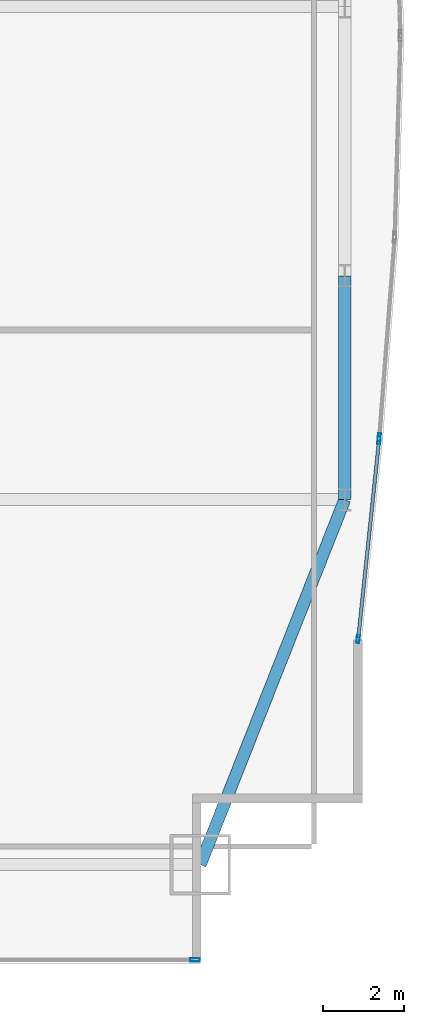
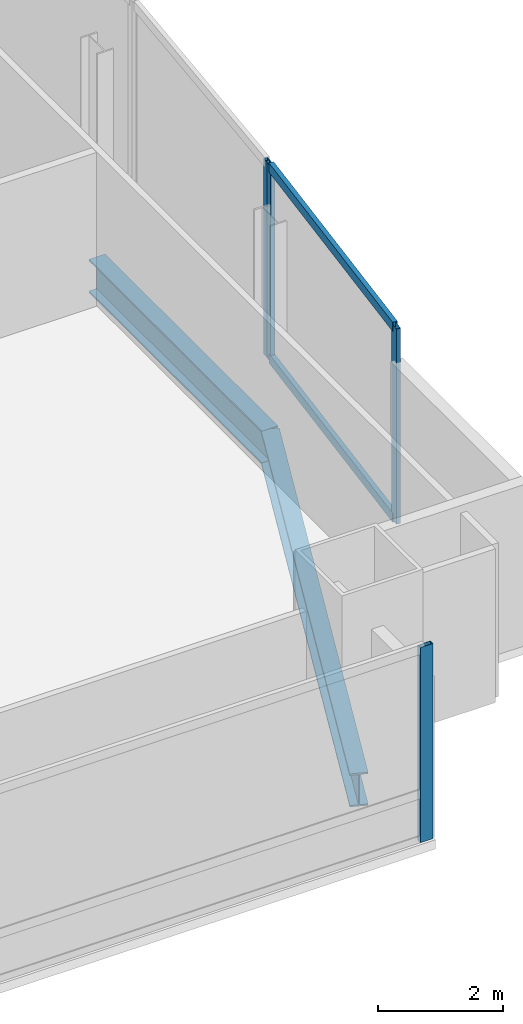
# One storey, part 21 of 30: 6 members, 2 beams, 3 elements without a shape of their own.
"""IFC4 building model written with IfcOpenShell, lengths in metres."""

from ifc_helpers import new_model, si_unit, direction, frame, origin, origin_2d, place, context, subcontext, project, spatial, hollow_rectangle, i_section, extrude, material, material_profile, profile_set, type_object, element, aggregate, save


model = new_model("IFC4")

# Units and contexts
model_context = context("Model", 3, precision=1e-05, world=origin(), true_north=direction((0.0, 1.0)))
body_context = subcontext(model_context, "Body", "Model", "MODEL_VIEW")
ifc_project = project(units=[si_unit("LENGTHUNIT", "METRE"), si_unit("AREAUNIT", "SQUARE_METRE"), si_unit("VOLUMEUNIT", "CUBIC_METRE"), si_unit("PLANEANGLEUNIT", "RADIAN"), si_unit("MASSUNIT", "GRAM", prefix="KILO")], contexts=[model_context])

# Site, building, storey
site_placement = place(None, origin())
site = spatial("IfcSite", under=ifc_project, at=site_placement, CompositionType="ELEMENT")
building_placement = place(site_placement, origin())
building = spatial("IfcBuilding", under=site, at=building_placement, Name="Khoronbel Lancet Exchange", CompositionType="ELEMENT")
storey_placement = place(building_placement, frame((0.0, 0.0, 98.60009765625)))
storey = spatial("IfcBuildingStorey", under=building, at=storey_placement, Name="L23", CompositionType="ELEMENT", Elevation=98.60009765625)

# Beams
ifc_material_1 = material(Name="Steel S355", Category="steel")
ifc_material_profile_1 = material_profile(ifc_material_1, i_section(OverallWidth=0.300048828125, OverallDepth=0.64990234375, WebThickness=0.01611328125, FlangeThickness=0.031005859375, at=origin_2d()), Name="HEB 650")
ifc_profile_set_1 = profile_set([ifc_material_profile_1], Name="Steel S355")
beam_type = type_object("IfcBeamType", Name="BM-BSP1", PredefinedType="SPANDREL", material=ifc_profile_set_1)
beam_1_placement = place(storey_placement, frame((66.050048828125, 10.14990234375, -0.505126953125), z_axis=(0.367828403855, 0.929893684954, 0.0), x_axis=(-0.929893684954, 0.367828403855, 0.0)))
element("IfcBeam", 1, at=beam_1_placement, inside=storey, type_object=beam_type, Name="Level L23 perimeter spandrel beam SP10", PredefinedType="SPANDREL", context=body_context, shape_type="SweptSolid", body=[
    extrude(i_section(OverallWidth=0.300048828125, OverallDepth=0.64990234375, WebThickness=0.01611328125, FlangeThickness=0.031005859375, at=origin_2d()), origin(), (0.0, 0.0, 1.0), 9.732421875),
])
beam_2_placement = place(storey_placement, frame((69.6298828125, 19.199951171875, -0.505126953125), z_axis=(0.0, 1.0, 0.0), x_axis=(-1.0, 0.0, 0.0)))
element("IfcBeam", 2, at=beam_2_placement, inside=storey, type_object=beam_type, Name="Level L23 perimeter spandrel beam SP11", PredefinedType="SPANDREL", context=body_context, shape_type="SweptSolid", body=[
    extrude(i_section(OverallWidth=0.300048828125, OverallDepth=0.64990234375, WebThickness=0.01611328125, FlangeThickness=0.031005859375, at=origin_2d()), origin(), (0.0, 0.0, 1.0), 5.550048828125),
])

# Curtain wall, member
ifc_material_2 = material(Name="Low-E Solar Control Insulating Glass", Category="glass")
curtain_wall_type_1 = type_object("IfcCurtainWallType", Name="CW-2", PredefinedType="NOTDEFINED", material=ifc_material_2)
curtain_wall_1_placement = place(storey_placement, origin())
curtain_wall_1 = element("IfcCurtainWall", 3, at=curtain_wall_1_placement, inside=storey, type_object=curtain_wall_type_1, Name="Unitised curtain wall CW-L23-SEV", PredefinedType="NOTDEFINED")
ifc_material_3 = material(Name="Bronze-Anodised Aluminium 6063-T6", Category="aluminium")
ifc_material_profile_2 = material_profile(ifc_material_3, hollow_rectangle(XDim=0.0849609375, YDim=0.239990234375, WallThickness=0.006103515625, at=origin_2d()), Name="ALU MULLION 85x240")
ifc_profile_set_2 = profile_set([ifc_material_profile_2], Name="Bronze-Anodised Aluminium 6063-T6")
member_type_1 = type_object("IfcMemberType", Name="MEM-CWM1", PredefinedType="MULLION", material=ifc_profile_set_2)
member_1_placement = place(storey_placement, frame((65.91748046875, 7.7900390625, 0.0), z_axis=(0.0, 0.0, 1.0), x_axis=(0.0, 1.0, 0.0)))
member_1 = element("IfcMember", 4, at=member_1_placement, type_object=member_type_1, Name="CW2 mullion 2", PredefinedType="MULLION", context=body_context, shape_type="SweptSolid", body=[
    extrude(hollow_rectangle(XDim=0.0849609375, YDim=0.239990234375, WallThickness=0.006103515625, at=origin_2d()), origin(), (0.0, 0.0, 1.0), 3.81982421875),
])
aggregate(curtain_wall_1, [member_1])

curtain_wall_type_2 = type_object("IfcCurtainWallType", Name="CW-4", PredefinedType="NOTDEFINED", material=ifc_material_2)
curtain_wall_2_placement = place(storey_placement, origin())
curtain_wall_2 = element("IfcCurtainWall", 5, at=curtain_wall_2_placement, inside=storey, type_object=curtain_wall_type_2, Name="Unitised curtain wall CW-L23-E21", PredefinedType="NOTDEFINED")
ifc_material_profile_3 = material_profile(ifc_material_3, hollow_rectangle(XDim=0.074951171875, YDim=0.199951171875, WallThickness=0.0048828125, at=origin_2d()), Name="ALU MULLION 75x200")
ifc_profile_set_3 = profile_set([ifc_material_profile_3], Name="Bronze-Anodised Aluminium 6063-T6")
member_type_2 = type_object("IfcMemberType", Name="MEM-CWM2", PredefinedType="MULLION", material=ifc_profile_set_3)
member_2_placement = place(storey_placement, frame((70.48828125, 20.74560546875, 0.0), z_axis=(0.0, 0.0, 1.0), x_axis=(0.997059882555, -0.076626304874, 0.0)))
member_2 = element("IfcMember", 6, at=member_2_placement, type_object=member_type_2, Name="CW4 mullion 2", PredefinedType="MULLION", context=body_context, shape_type="SweptSolid", body=[
    extrude(hollow_rectangle(XDim=0.074951171875, YDim=0.199951171875, WallThickness=0.0048828125, at=origin_2d()), origin(), (0.0, 0.0, 1.0), 3.81982421875),
])
aggregate(curtain_wall_2, [member_2])

# Curtain wall, members
curtain_wall_3_placement = place(storey_placement, origin())
curtain_wall_3 = element("IfcCurtainWall", 7, at=curtain_wall_3_placement, inside=storey, type_object=curtain_wall_type_2, Name="Unitised curtain wall CW-L23-E22", PredefinedType="NOTDEFINED")
member_3_placement = place(storey_placement, frame((70.4814453125, 20.6708984375, 0.0), z_axis=(0.0, 0.0, 1.0), x_axis=(0.994531779003, -0.104434383958, 0.0)))
member_3 = element("IfcMember", 8, at=member_3_placement, type_object=member_type_2, Name="CW4 mullion 1", PredefinedType="MULLION", context=body_context, shape_type="SweptSolid", body=[
    extrude(hollow_rectangle(XDim=0.074951171875, YDim=0.199951171875, WallThickness=0.0048828125, at=origin_2d()), origin(), (0.0, 0.0, 1.0), 3.81982421875),
])
member_4_placement = place(storey_placement, frame((69.9638671875, 15.741943359375, 0.0), z_axis=(0.0, 0.0, 1.0), x_axis=(0.994531779003, -0.104434383958, 0.0)))
member_4 = element("IfcMember", 9, at=member_4_placement, type_object=member_type_2, Name="CW4 mullion 2", PredefinedType="MULLION", context=body_context, shape_type="SweptSolid", body=[
    extrude(hollow_rectangle(XDim=0.074951171875, YDim=0.199951171875, WallThickness=0.0048828125, at=origin_2d()), origin(), (0.0, 0.0, 1.0), 3.81982421875),
])
ifc_material_profile_4 = material_profile(ifc_material_3, hollow_rectangle(XDim=0.0849609375, YDim=0.179931640625, WallThickness=0.0048828125, at=origin_2d()), Name="ALU TRANSOM 85x180")
ifc_profile_set_4 = profile_set([ifc_material_profile_4], Name="Bronze-Anodised Aluminium 6063-T6")
member_type_3 = type_object("IfcMemberType", Name="MEM-CWT1", PredefinedType="USERDEFINED", material=ifc_profile_set_4)
member_5_placement = place(storey_placement, frame((70.4775390625, 20.633544921875, 0.04248046875), z_axis=(-0.104440030005, -0.994531186104, 0.0), x_axis=(0.994531186104, -0.104440030005, 0.0)))
member_5 = element("IfcMember", 10, at=member_5_placement, type_object=member_type_3, Name="CW4 transom 1.1", ObjectType="TRANSOM", PredefinedType="USERDEFINED", context=body_context, shape_type="SweptSolid", body=[
    extrude(hollow_rectangle(XDim=0.0849609375, YDim=0.179931640625, WallThickness=0.0048828125, at=origin_2d()), origin(), (0.0, 0.0, 1.0), 4.880859375),
])
member_6_placement = place(storey_placement, frame((70.4775390625, 20.633544921875, 3.77734375), z_axis=(-0.104440030005, -0.994531186104, 0.0), x_axis=(0.994531186104, -0.104440030005, 0.0)))
member_6 = element("IfcMember", 11, at=member_6_placement, type_object=member_type_3, Name="CW4 transom 1.2", ObjectType="TRANSOM", PredefinedType="USERDEFINED", context=body_context, shape_type="SweptSolid", body=[
    extrude(hollow_rectangle(XDim=0.0849609375, YDim=0.179931640625, WallThickness=0.0048828125, at=origin_2d()), origin(), (0.0, 0.0, 1.0), 4.880859375),
])
aggregate(curtain_wall_3, [member_3, member_4, member_5, member_6])

save(model, "model.ifc")
